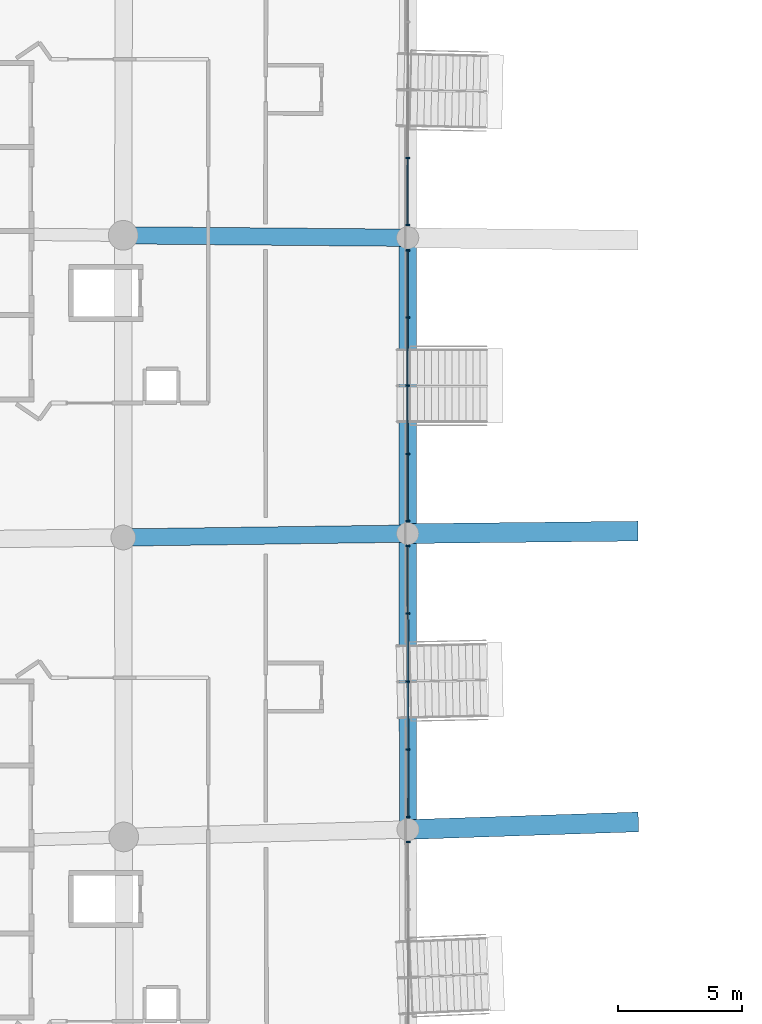
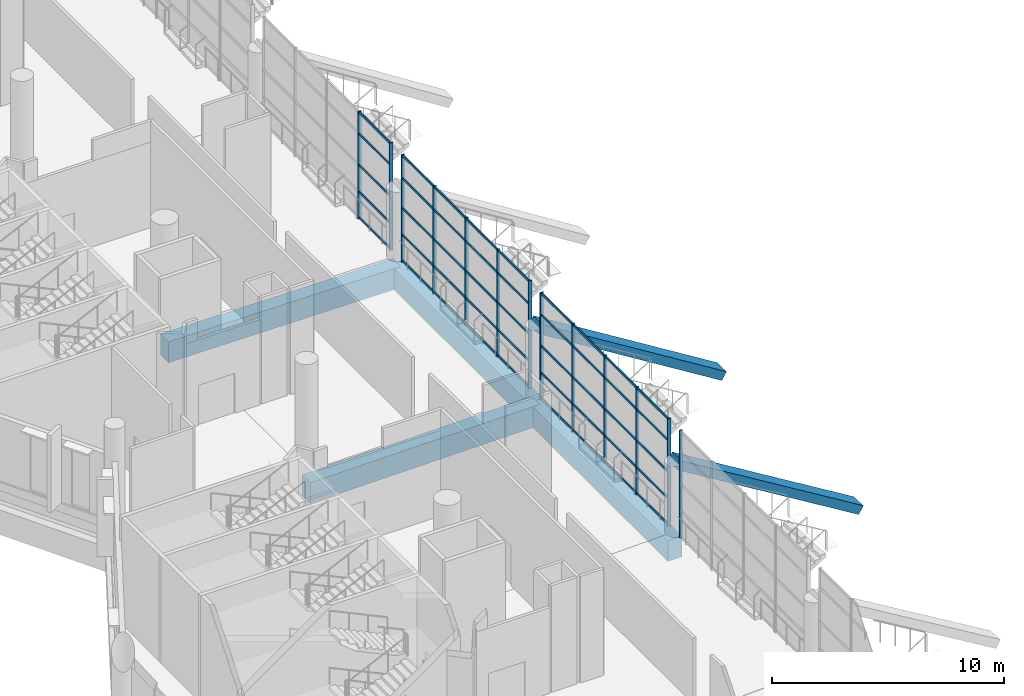
# One storey, part 10 of 173: 58 members, 6 beams, 4 elements without a shape of their own.
"""IFC4 building model written with IfcOpenShell, lengths in metres."""

from ifc_helpers import new_model, si_unit, direction, frame, origin, origin_2d, place, context, subcontext, project, spatial, rectangle, extrude, material, layer, layer_set, material_profile, profile_set, type_object, element, aggregate, save


model = new_model("IFC4")

# Units and contexts
model_context = context("Model", 3, precision=1e-05, world=origin(), true_north=direction((0.0, 1.0)))
body_context = subcontext(model_context, "Body", "Model", "MODEL_VIEW")
ifc_project = project(units=[si_unit("LENGTHUNIT", "METRE"), si_unit("AREAUNIT", "SQUARE_METRE"), si_unit("VOLUMEUNIT", "CUBIC_METRE"), si_unit("PLANEANGLEUNIT", "RADIAN"), si_unit("MASSUNIT", "GRAM", prefix="KILO")], contexts=[model_context])

# Site, building, storey
site_placement = place(None, origin())
site = spatial("IfcSite", under=ifc_project, at=site_placement, CompositionType="ELEMENT")
building_placement = place(site_placement, origin())
building = spatial("IfcBuilding", under=site, at=building_placement, Name="Meseta Stadium", CompositionType="ELEMENT")
storey_placement = place(building_placement, frame((0.0, 0.0, 18.0)))
storey = spatial("IfcBuildingStorey", under=building, at=storey_placement, Name="L03", CompositionType="ELEMENT", Elevation=18.0)

# Curtain wall, members
ifc_material_1 = material(Name="Aluminium", Category="aluminium")
ifc_layer = layer(ifc_material_1, 0.25)
ifc_layer_set = layer_set([ifc_layer], Name="Media Centre glazing curtain wall")
curtain_wall_type = type_object("IfcCurtainWallType", Name="Media Centre glazing curtain wall", PredefinedType="NOTDEFINED", material=ifc_layer_set)
curtain_wall_1_placement = place(storey_placement, origin())
curtain_wall_1 = element("IfcCurtainWall", 1, at=curtain_wall_1_placement, inside=storey, type_object=curtain_wall_type, Name="Media Centre glazing bay 31", PredefinedType="NOTDEFINED")
ifc_material_2 = material(Name="Aluminium", Category="aluminium")
ifc_material_profile_1 = material_profile(ifc_material_2, rectangle(XDim=0.159912109375, YDim=0.06005859375, at=origin_2d()), Name="CW 160x60")
ifc_profile_set_1 = profile_set([ifc_material_profile_1], Name="Aluminium")
member_type_1 = type_object("IfcMemberType", Name="CW mullion 60x160", PredefinedType="MULLION", material=ifc_profile_set_1)
member_1_placement = place(storey_placement, frame((-73.493896484375, 9.211181640625, 0.0), z_axis=(0.0, 0.0, 1.0), x_axis=(0.999999147931, -0.001305425729, 0.0)))
member_1 = element("IfcMember", 2, at=member_1_placement, type_object=member_type_1, Name="CWM mullion 4", PredefinedType="MULLION", context=body_context, shape_type="SweptSolid", body=[
    extrude(rectangle(XDim=0.159912109375, YDim=0.06005859375, at=origin_2d()), origin(), (0.0, 0.0, 1.0), 5.64990234375),
])
member_2_placement = place(storey_placement, frame((-73.497314453125, 6.490234375, 0.0), z_axis=(0.0, 0.0, 1.0), x_axis=(0.999999147931, -0.001305425729, 0.0)))
member_2 = element("IfcMember", 3, at=member_2_placement, type_object=member_type_1, Name="CWM mullion 5", PredefinedType="MULLION", context=body_context, shape_type="SweptSolid", body=[
    extrude(rectangle(XDim=0.159912109375, YDim=0.06005859375, at=origin_2d()), origin(), (0.0, 0.0, 1.0), 5.64990234375),
])

curtain_wall_2_placement = place(storey_placement, origin())
curtain_wall_2 = element("IfcCurtainWall", 4, at=curtain_wall_2_placement, inside=storey, type_object=curtain_wall_type, Name="Media Centre glazing bay 32", PredefinedType="NOTDEFINED")
member_3_placement = place(storey_placement, frame((-73.498046875, 5.472412109375, 0.0), z_axis=(0.0, 0.0, 1.0), x_axis=(1.0, 0.0, 0.0)))
member_3 = element("IfcMember", 5, at=member_3_placement, type_object=member_type_1, Name="CWM mullion 1", PredefinedType="MULLION", context=body_context, shape_type="SweptSolid", body=[
    extrude(rectangle(XDim=0.159912109375, YDim=0.06005859375, at=origin_2d()), origin(), (0.0, 0.0, 1.0), 5.64990234375),
])
member_4_placement = place(storey_placement, frame((-73.498046875, 2.751220703125, 0.0), z_axis=(0.0, 0.0, 1.0), x_axis=(1.0, 0.0, 0.0)))
member_4 = element("IfcMember", 6, at=member_4_placement, type_object=member_type_1, Name="CWM mullion 2", PredefinedType="MULLION", context=body_context, shape_type="SweptSolid", body=[
    extrude(rectangle(XDim=0.159912109375, YDim=0.06005859375, at=origin_2d()), origin(), (0.0, 0.0, 1.0), 5.64990234375),
])
member_5_placement = place(storey_placement, frame((-73.498046875, 0.0, 0.0), z_axis=(0.0, 0.0, 1.0), x_axis=(1.0, 0.0, 0.0)))
member_5 = element("IfcMember", 7, at=member_5_placement, type_object=member_type_1, Name="CWM mullion 3", PredefinedType="MULLION", context=body_context, shape_type="SweptSolid", body=[
    extrude(rectangle(XDim=0.159912109375, YDim=0.06005859375, at=origin_2d()), origin(), (0.0, 0.0, 1.0), 5.64990234375),
])
member_6_placement = place(storey_placement, frame((-73.498046875, -2.751220703125, 0.0), z_axis=(0.0, 0.0, 1.0), x_axis=(1.0, 0.0, 0.0)))
member_6 = element("IfcMember", 8, at=member_6_placement, type_object=member_type_1, Name="CWM mullion 4", PredefinedType="MULLION", context=body_context, shape_type="SweptSolid", body=[
    extrude(rectangle(XDim=0.159912109375, YDim=0.06005859375, at=origin_2d()), origin(), (0.0, 0.0, 1.0), 5.64990234375),
])
member_7_placement = place(storey_placement, frame((-73.498046875, -5.472412109375, 0.0), z_axis=(0.0, 0.0, 1.0), x_axis=(1.0, 0.0, 0.0)))
member_7 = element("IfcMember", 9, at=member_7_placement, type_object=member_type_1, Name="CWM mullion 5", PredefinedType="MULLION", context=body_context, shape_type="SweptSolid", body=[
    extrude(rectangle(XDim=0.159912109375, YDim=0.06005859375, at=origin_2d()), origin(), (0.0, 0.0, 1.0), 5.64990234375),
])

curtain_wall_3_placement = place(storey_placement, origin())
curtain_wall_3 = element("IfcCurtainWall", 10, at=curtain_wall_3_placement, inside=storey, type_object=curtain_wall_type, Name="Media Centre glazing bay 33", PredefinedType="NOTDEFINED")
member_8_placement = place(storey_placement, frame((-73.497314453125, -6.490234375, 0.0), z_axis=(0.0, 0.0, 1.0), x_axis=(0.999999147931, 0.001305425729, 0.0)))
member_8 = element("IfcMember", 11, at=member_8_placement, type_object=member_type_1, Name="CWM mullion 1", PredefinedType="MULLION", context=body_context, shape_type="SweptSolid", body=[
    extrude(rectangle(XDim=0.159912109375, YDim=0.06005859375, at=origin_2d()), origin(), (0.0, 0.0, 1.0), 5.64990234375),
])
member_9_placement = place(storey_placement, frame((-73.493896484375, -9.211181640625, 0.0), z_axis=(0.0, 0.0, 1.0), x_axis=(0.999999147931, 0.001305425729, 0.0)))
member_9 = element("IfcMember", 12, at=member_9_placement, type_object=member_type_1, Name="CWM mullion 2", PredefinedType="MULLION", context=body_context, shape_type="SweptSolid", body=[
    extrude(rectangle(XDim=0.159912109375, YDim=0.06005859375, at=origin_2d()), origin(), (0.0, 0.0, 1.0), 5.64990234375),
])
member_10_placement = place(storey_placement, frame((-73.490234375, -11.96240234375, 0.0), z_axis=(0.0, 0.0, 1.0), x_axis=(0.999999147931, 0.001305425729, 0.0)))
member_10 = element("IfcMember", 13, at=member_10_placement, type_object=member_type_1, Name="CWM mullion 3", PredefinedType="MULLION", context=body_context, shape_type="SweptSolid", body=[
    extrude(rectangle(XDim=0.159912109375, YDim=0.06005859375, at=origin_2d()), origin(), (0.0, 0.0, 1.0), 5.64990234375),
])
member_11_placement = place(storey_placement, frame((-73.486572265625, -14.71337890625, 0.0), z_axis=(0.0, 0.0, 1.0), x_axis=(0.999999147931, 0.001305425729, 0.0)))
member_11 = element("IfcMember", 14, at=member_11_placement, type_object=member_type_1, Name="CWM mullion 4", PredefinedType="MULLION", context=body_context, shape_type="SweptSolid", body=[
    extrude(rectangle(XDim=0.159912109375, YDim=0.06005859375, at=origin_2d()), origin(), (0.0, 0.0, 1.0), 5.64990234375),
])
member_12_placement = place(storey_placement, frame((-73.483154296875, -17.434326171875, 0.0), z_axis=(0.0, 0.0, 1.0), x_axis=(0.999999147931, 0.001305425729, 0.0)))
member_12 = element("IfcMember", 15, at=member_12_placement, type_object=member_type_1, Name="CWM mullion 5", PredefinedType="MULLION", context=body_context, shape_type="SweptSolid", body=[
    extrude(rectangle(XDim=0.159912109375, YDim=0.06005859375, at=origin_2d()), origin(), (0.0, 0.0, 1.0), 5.64990234375),
])

# Curtain wall, member
curtain_wall_4_placement = place(storey_placement, origin())
curtain_wall_4 = element("IfcCurtainWall", 16, at=curtain_wall_4_placement, inside=storey, type_object=curtain_wall_type, Name="Media Centre glazing bay 34", PredefinedType="NOTDEFINED")
member_13_placement = place(storey_placement, frame((-73.481201171875, -18.45263671875, 0.0), z_axis=(0.0, 0.0, 1.0), x_axis=(0.999996605564, 0.002605544184, 0.0)))
member_13 = element("IfcMember", 17, at=member_13_placement, type_object=member_type_1, Name="CWM mullion 1", PredefinedType="MULLION", context=body_context, shape_type="SweptSolid", body=[
    extrude(rectangle(XDim=0.159912109375, YDim=0.06005859375, at=origin_2d()), origin(), (0.0, 0.0, 1.0), 5.64990234375),
])
aggregate(curtain_wall_4, [member_13])

# Member
ifc_material_3 = material(Name="Aluminium", Category="aluminium")
ifc_material_profile_2 = material_profile(ifc_material_3, rectangle(XDim=0.06005859375, YDim=0.1201171875, at=origin_2d()), Name="CW 60x120")
ifc_profile_set_2 = profile_set([ifc_material_profile_2], Name="Aluminium")
member_type_2 = type_object("IfcMemberType", Name="CW transom 60x120", PredefinedType="USERDEFINED", material=ifc_profile_set_2)
member_14_placement = place(storey_placement, frame((-73.493896484375, 9.181396484375, 0.06005859375), z_axis=(-0.00128440261, -0.999999175155, 0.0), x_axis=(0.999999175155, -0.00128440261, 0.0)))
member_14 = element("IfcMember", 18, at=member_14_placement, type_object=member_type_2, Name="CWM transom 4.1", ObjectType="TRANSOM", PredefinedType="USERDEFINED", context=body_context, shape_type="SweptSolid", body=[
    extrude(rectangle(XDim=0.06005859375, YDim=0.1201171875, at=origin_2d()), origin(), (0.0, 0.0, 1.0), 2.6611328125),
])

member_15_placement = place(storey_placement, frame((-73.493896484375, 9.181396484375, 1.41259765625), z_axis=(-0.00128440261, -0.999999175155, 0.0), x_axis=(0.999999175155, -0.00128440261, 0.0)))
member_15 = element("IfcMember", 19, at=member_15_placement, type_object=member_type_2, Name="CWM transom 4.2", ObjectType="TRANSOM", PredefinedType="USERDEFINED", context=body_context, shape_type="SweptSolid", body=[
    extrude(rectangle(XDim=0.06005859375, YDim=0.1201171875, at=origin_2d()), origin(), (0.0, 0.0, 1.0), 2.6611328125),
])

member_16_placement = place(storey_placement, frame((-73.493896484375, 9.181396484375, 2.824951171875), z_axis=(-0.00128440261, -0.999999175155, 0.0), x_axis=(0.999999175155, -0.00128440261, 0.0)))
member_16 = element("IfcMember", 20, at=member_16_placement, type_object=member_type_2, Name="CWM transom 4.3", ObjectType="TRANSOM", PredefinedType="USERDEFINED", context=body_context, shape_type="SweptSolid", body=[
    extrude(rectangle(XDim=0.06005859375, YDim=0.1201171875, at=origin_2d()), origin(), (0.0, 0.0, 1.0), 2.6611328125),
])

member_17_placement = place(storey_placement, frame((-73.493896484375, 9.181396484375, 4.4677734375), z_axis=(-0.00128440261, -0.999999175155, 0.0), x_axis=(0.999999175155, -0.00128440261, 0.0)))
member_17 = element("IfcMember", 21, at=member_17_placement, type_object=member_type_2, Name="CWM transom 4.4", ObjectType="TRANSOM", PredefinedType="USERDEFINED", context=body_context, shape_type="SweptSolid", body=[
    extrude(rectangle(XDim=0.06005859375, YDim=0.1201171875, at=origin_2d()), origin(), (0.0, 0.0, 1.0), 2.6611328125),
])

member_18_placement = place(storey_placement, frame((-73.493896484375, 9.181396484375, 5.590087890625), z_axis=(-0.00128440261, -0.999999175155, 0.0), x_axis=(0.999999175155, -0.00128440261, 0.0)))
member_18 = element("IfcMember", 22, at=member_18_placement, type_object=member_type_2, Name="CWM transom 4.5", ObjectType="TRANSOM", PredefinedType="USERDEFINED", context=body_context, shape_type="SweptSolid", body=[
    extrude(rectangle(XDim=0.06005859375, YDim=0.1201171875, at=origin_2d()), origin(), (0.0, 0.0, 1.0), 2.6611328125),
])

aggregate(curtain_wall_1, [member_1, member_2, member_14, member_15, member_16, member_17, member_18])

member_19_placement = place(storey_placement, frame((-73.498046875, 5.4423828125, 0.06005859375), z_axis=(0.0, -1.0, 0.0), x_axis=(1.0, 0.0, 0.0)))
member_19 = element("IfcMember", 23, at=member_19_placement, type_object=member_type_2, Name="CWM transom 1.1", ObjectType="TRANSOM", PredefinedType="USERDEFINED", context=body_context, shape_type="SweptSolid", body=[
    extrude(rectangle(XDim=0.06005859375, YDim=0.1201171875, at=origin_2d()), origin(), (0.0, 0.0, 1.0), 2.6611328125),
])

member_20_placement = place(storey_placement, frame((-73.498046875, 5.4423828125, 1.41259765625), z_axis=(0.0, -1.0, 0.0), x_axis=(1.0, 0.0, 0.0)))
member_20 = element("IfcMember", 24, at=member_20_placement, type_object=member_type_2, Name="CWM transom 1.2", ObjectType="TRANSOM", PredefinedType="USERDEFINED", context=body_context, shape_type="SweptSolid", body=[
    extrude(rectangle(XDim=0.06005859375, YDim=0.1201171875, at=origin_2d()), origin(), (0.0, 0.0, 1.0), 2.6611328125),
])

member_21_placement = place(storey_placement, frame((-73.498046875, 5.4423828125, 2.824951171875), z_axis=(0.0, -1.0, 0.0), x_axis=(1.0, 0.0, 0.0)))
member_21 = element("IfcMember", 25, at=member_21_placement, type_object=member_type_2, Name="CWM transom 1.3", ObjectType="TRANSOM", PredefinedType="USERDEFINED", context=body_context, shape_type="SweptSolid", body=[
    extrude(rectangle(XDim=0.06005859375, YDim=0.1201171875, at=origin_2d()), origin(), (0.0, 0.0, 1.0), 2.6611328125),
])

member_22_placement = place(storey_placement, frame((-73.498046875, 5.4423828125, 4.396728515625), z_axis=(0.0, -1.0, 0.0), x_axis=(1.0, 0.0, 0.0)))
member_22 = element("IfcMember", 26, at=member_22_placement, type_object=member_type_2, Name="CWM transom 1.4", ObjectType="TRANSOM", PredefinedType="USERDEFINED", context=body_context, shape_type="SweptSolid", body=[
    extrude(rectangle(XDim=0.06005859375, YDim=0.1201171875, at=origin_2d()), origin(), (0.0, 0.0, 1.0), 2.6611328125),
])

member_23_placement = place(storey_placement, frame((-73.498046875, 5.4423828125, 5.590087890625), z_axis=(0.0, -1.0, 0.0), x_axis=(1.0, 0.0, 0.0)))
member_23 = element("IfcMember", 27, at=member_23_placement, type_object=member_type_2, Name="CWM transom 1.5", ObjectType="TRANSOM", PredefinedType="USERDEFINED", context=body_context, shape_type="SweptSolid", body=[
    extrude(rectangle(XDim=0.06005859375, YDim=0.1201171875, at=origin_2d()), origin(), (0.0, 0.0, 1.0), 2.6611328125),
])

member_24_placement = place(storey_placement, frame((-73.498046875, 2.72119140625, 0.06005859375), z_axis=(0.0, -1.0, 0.0), x_axis=(1.0, 0.0, 0.0)))
member_24 = element("IfcMember", 28, at=member_24_placement, type_object=member_type_2, Name="CWM transom 2.1", ObjectType="TRANSOM", PredefinedType="USERDEFINED", context=body_context, shape_type="SweptSolid", body=[
    extrude(rectangle(XDim=0.06005859375, YDim=0.1201171875, at=origin_2d()), origin(), (0.0, 0.0, 1.0), 2.691162109375),
])

member_25_placement = place(storey_placement, frame((-73.498046875, 2.72119140625, 1.41259765625), z_axis=(0.0, -1.0, 0.0), x_axis=(1.0, 0.0, 0.0)))
member_25 = element("IfcMember", 29, at=member_25_placement, type_object=member_type_2, Name="CWM transom 2.2", ObjectType="TRANSOM", PredefinedType="USERDEFINED", context=body_context, shape_type="SweptSolid", body=[
    extrude(rectangle(XDim=0.06005859375, YDim=0.1201171875, at=origin_2d()), origin(), (0.0, 0.0, 1.0), 2.691162109375),
])

member_26_placement = place(storey_placement, frame((-73.498046875, 2.72119140625, 2.824951171875), z_axis=(0.0, -1.0, 0.0), x_axis=(1.0, 0.0, 0.0)))
member_26 = element("IfcMember", 30, at=member_26_placement, type_object=member_type_2, Name="CWM transom 2.3", ObjectType="TRANSOM", PredefinedType="USERDEFINED", context=body_context, shape_type="SweptSolid", body=[
    extrude(rectangle(XDim=0.06005859375, YDim=0.1201171875, at=origin_2d()), origin(), (0.0, 0.0, 1.0), 2.691162109375),
])

member_27_placement = place(storey_placement, frame((-73.498046875, 2.72119140625, 4.396728515625), z_axis=(0.0, -1.0, 0.0), x_axis=(1.0, 0.0, 0.0)))
member_27 = element("IfcMember", 31, at=member_27_placement, type_object=member_type_2, Name="CWM transom 2.4", ObjectType="TRANSOM", PredefinedType="USERDEFINED", context=body_context, shape_type="SweptSolid", body=[
    extrude(rectangle(XDim=0.06005859375, YDim=0.1201171875, at=origin_2d()), origin(), (0.0, 0.0, 1.0), 2.691162109375),
])

member_28_placement = place(storey_placement, frame((-73.498046875, 2.72119140625, 5.590087890625), z_axis=(0.0, -1.0, 0.0), x_axis=(1.0, 0.0, 0.0)))
member_28 = element("IfcMember", 32, at=member_28_placement, type_object=member_type_2, Name="CWM transom 2.5", ObjectType="TRANSOM", PredefinedType="USERDEFINED", context=body_context, shape_type="SweptSolid", body=[
    extrude(rectangle(XDim=0.06005859375, YDim=0.1201171875, at=origin_2d()), origin(), (0.0, 0.0, 1.0), 2.691162109375),
])

member_29_placement = place(storey_placement, frame((-73.498046875, -0.030029296875, 0.06005859375), z_axis=(0.0, -1.0, 0.0), x_axis=(1.0, 0.0, 0.0)))
member_29 = element("IfcMember", 33, at=member_29_placement, type_object=member_type_2, Name="CWM transom 3.1", ObjectType="TRANSOM", PredefinedType="USERDEFINED", context=body_context, shape_type="SweptSolid", body=[
    extrude(rectangle(XDim=0.06005859375, YDim=0.1201171875, at=origin_2d()), origin(), (0.0, 0.0, 1.0), 2.691162109375),
])

member_30_placement = place(storey_placement, frame((-73.498046875, -0.030029296875, 1.41259765625), z_axis=(0.0, -1.0, 0.0), x_axis=(1.0, 0.0, 0.0)))
member_30 = element("IfcMember", 34, at=member_30_placement, type_object=member_type_2, Name="CWM transom 3.2", ObjectType="TRANSOM", PredefinedType="USERDEFINED", context=body_context, shape_type="SweptSolid", body=[
    extrude(rectangle(XDim=0.06005859375, YDim=0.1201171875, at=origin_2d()), origin(), (0.0, 0.0, 1.0), 2.691162109375),
])

member_31_placement = place(storey_placement, frame((-73.498046875, -0.030029296875, 2.824951171875), z_axis=(0.0, -1.0, 0.0), x_axis=(1.0, 0.0, 0.0)))
member_31 = element("IfcMember", 35, at=member_31_placement, type_object=member_type_2, Name="CWM transom 3.3", ObjectType="TRANSOM", PredefinedType="USERDEFINED", context=body_context, shape_type="SweptSolid", body=[
    extrude(rectangle(XDim=0.06005859375, YDim=0.1201171875, at=origin_2d()), origin(), (0.0, 0.0, 1.0), 2.691162109375),
])

member_32_placement = place(storey_placement, frame((-73.498046875, -0.030029296875, 4.396728515625), z_axis=(0.0, -1.0, 0.0), x_axis=(1.0, 0.0, 0.0)))
member_32 = element("IfcMember", 36, at=member_32_placement, type_object=member_type_2, Name="CWM transom 3.4", ObjectType="TRANSOM", PredefinedType="USERDEFINED", context=body_context, shape_type="SweptSolid", body=[
    extrude(rectangle(XDim=0.06005859375, YDim=0.1201171875, at=origin_2d()), origin(), (0.0, 0.0, 1.0), 2.691162109375),
])

member_33_placement = place(storey_placement, frame((-73.498046875, -0.030029296875, 5.590087890625), z_axis=(0.0, -1.0, 0.0), x_axis=(1.0, 0.0, 0.0)))
member_33 = element("IfcMember", 37, at=member_33_placement, type_object=member_type_2, Name="CWM transom 3.5", ObjectType="TRANSOM", PredefinedType="USERDEFINED", context=body_context, shape_type="SweptSolid", body=[
    extrude(rectangle(XDim=0.06005859375, YDim=0.1201171875, at=origin_2d()), origin(), (0.0, 0.0, 1.0), 2.691162109375),
])

member_34_placement = place(storey_placement, frame((-73.498046875, -2.78125, 0.06005859375), z_axis=(0.0, -1.0, 0.0), x_axis=(1.0, 0.0, 0.0)))
member_34 = element("IfcMember", 38, at=member_34_placement, type_object=member_type_2, Name="CWM transom 4.1", ObjectType="TRANSOM", PredefinedType="USERDEFINED", context=body_context, shape_type="SweptSolid", body=[
    extrude(rectangle(XDim=0.06005859375, YDim=0.1201171875, at=origin_2d()), origin(), (0.0, 0.0, 1.0), 2.6611328125),
])

member_35_placement = place(storey_placement, frame((-73.498046875, -2.78125, 1.41259765625), z_axis=(0.0, -1.0, 0.0), x_axis=(1.0, 0.0, 0.0)))
member_35 = element("IfcMember", 39, at=member_35_placement, type_object=member_type_2, Name="CWM transom 4.2", ObjectType="TRANSOM", PredefinedType="USERDEFINED", context=body_context, shape_type="SweptSolid", body=[
    extrude(rectangle(XDim=0.06005859375, YDim=0.1201171875, at=origin_2d()), origin(), (0.0, 0.0, 1.0), 2.6611328125),
])

member_36_placement = place(storey_placement, frame((-73.498046875, -2.78125, 2.824951171875), z_axis=(0.0, -1.0, 0.0), x_axis=(1.0, 0.0, 0.0)))
member_36 = element("IfcMember", 40, at=member_36_placement, type_object=member_type_2, Name="CWM transom 4.3", ObjectType="TRANSOM", PredefinedType="USERDEFINED", context=body_context, shape_type="SweptSolid", body=[
    extrude(rectangle(XDim=0.06005859375, YDim=0.1201171875, at=origin_2d()), origin(), (0.0, 0.0, 1.0), 2.6611328125),
])

member_37_placement = place(storey_placement, frame((-73.498046875, -2.78125, 4.396728515625), z_axis=(0.0, -1.0, 0.0), x_axis=(1.0, 0.0, 0.0)))
member_37 = element("IfcMember", 41, at=member_37_placement, type_object=member_type_2, Name="CWM transom 4.4", ObjectType="TRANSOM", PredefinedType="USERDEFINED", context=body_context, shape_type="SweptSolid", body=[
    extrude(rectangle(XDim=0.06005859375, YDim=0.1201171875, at=origin_2d()), origin(), (0.0, 0.0, 1.0), 2.6611328125),
])

member_38_placement = place(storey_placement, frame((-73.498046875, -2.78125, 5.590087890625), z_axis=(0.0, -1.0, 0.0), x_axis=(1.0, 0.0, 0.0)))
member_38 = element("IfcMember", 42, at=member_38_placement, type_object=member_type_2, Name="CWM transom 4.5", ObjectType="TRANSOM", PredefinedType="USERDEFINED", context=body_context, shape_type="SweptSolid", body=[
    extrude(rectangle(XDim=0.06005859375, YDim=0.1201171875, at=origin_2d()), origin(), (0.0, 0.0, 1.0), 2.6611328125),
])

aggregate(curtain_wall_2, [member_3, member_4, member_5, member_6, member_7, member_19, member_20, member_21, member_22, member_23, member_24, member_25, member_26, member_27, member_28, member_29, member_30, member_31, member_32, member_33, member_34, member_35, member_36, member_37, member_38])

member_39_placement = place(storey_placement, frame((-73.497314453125, -6.520263671875, 0.06005859375), z_axis=(0.00128440261, -0.999999175155, 0.0), x_axis=(0.999999175155, 0.00128440261, 0.0)))
member_39 = element("IfcMember", 43, at=member_39_placement, type_object=member_type_2, Name="CWM transom 1.1", ObjectType="TRANSOM", PredefinedType="USERDEFINED", context=body_context, shape_type="SweptSolid", body=[
    extrude(rectangle(XDim=0.06005859375, YDim=0.1201171875, at=origin_2d()), origin(), (0.0, 0.0, 1.0), 2.6611328125),
])

member_40_placement = place(storey_placement, frame((-73.497314453125, -6.520263671875, 1.41259765625), z_axis=(0.00128440261, -0.999999175155, 0.0), x_axis=(0.999999175155, 0.00128440261, 0.0)))
member_40 = element("IfcMember", 44, at=member_40_placement, type_object=member_type_2, Name="CWM transom 1.2", ObjectType="TRANSOM", PredefinedType="USERDEFINED", context=body_context, shape_type="SweptSolid", body=[
    extrude(rectangle(XDim=0.06005859375, YDim=0.1201171875, at=origin_2d()), origin(), (0.0, 0.0, 1.0), 2.6611328125),
])

member_41_placement = place(storey_placement, frame((-73.497314453125, -6.520263671875, 2.824951171875), z_axis=(0.00128440261, -0.999999175155, 0.0), x_axis=(0.999999175155, 0.00128440261, 0.0)))
member_41 = element("IfcMember", 45, at=member_41_placement, type_object=member_type_2, Name="CWM transom 1.3", ObjectType="TRANSOM", PredefinedType="USERDEFINED", context=body_context, shape_type="SweptSolid", body=[
    extrude(rectangle(XDim=0.06005859375, YDim=0.1201171875, at=origin_2d()), origin(), (0.0, 0.0, 1.0), 2.6611328125),
])

member_42_placement = place(storey_placement, frame((-73.497314453125, -6.520263671875, 4.4677734375), z_axis=(0.00128440261, -0.999999175155, 0.0), x_axis=(0.999999175155, 0.00128440261, 0.0)))
member_42 = element("IfcMember", 46, at=member_42_placement, type_object=member_type_2, Name="CWM transom 1.4", ObjectType="TRANSOM", PredefinedType="USERDEFINED", context=body_context, shape_type="SweptSolid", body=[
    extrude(rectangle(XDim=0.06005859375, YDim=0.1201171875, at=origin_2d()), origin(), (0.0, 0.0, 1.0), 2.6611328125),
])

member_43_placement = place(storey_placement, frame((-73.497314453125, -6.520263671875, 5.590087890625), z_axis=(0.00128440261, -0.999999175155, 0.0), x_axis=(0.999999175155, 0.00128440261, 0.0)))
member_43 = element("IfcMember", 47, at=member_43_placement, type_object=member_type_2, Name="CWM transom 1.5", ObjectType="TRANSOM", PredefinedType="USERDEFINED", context=body_context, shape_type="SweptSolid", body=[
    extrude(rectangle(XDim=0.06005859375, YDim=0.1201171875, at=origin_2d()), origin(), (0.0, 0.0, 1.0), 2.6611328125),
])

member_44_placement = place(storey_placement, frame((-73.493896484375, -9.2412109375, 0.06005859375), z_axis=(0.001360789813, -0.999999074125, 0.0), x_axis=(0.999999074125, 0.001360789813, 0.0)))
member_44 = element("IfcMember", 48, at=member_44_placement, type_object=member_type_2, Name="CWM transom 2.1", ObjectType="TRANSOM", PredefinedType="USERDEFINED", context=body_context, shape_type="SweptSolid", body=[
    extrude(rectangle(XDim=0.06005859375, YDim=0.1201171875, at=origin_2d()), origin(), (0.0, 0.0, 1.0), 2.691162109375),
])

member_45_placement = place(storey_placement, frame((-73.493896484375, -9.2412109375, 1.41259765625), z_axis=(0.001360789813, -0.999999074125, 0.0), x_axis=(0.999999074125, 0.001360789813, 0.0)))
member_45 = element("IfcMember", 49, at=member_45_placement, type_object=member_type_2, Name="CWM transom 2.2", ObjectType="TRANSOM", PredefinedType="USERDEFINED", context=body_context, shape_type="SweptSolid", body=[
    extrude(rectangle(XDim=0.06005859375, YDim=0.1201171875, at=origin_2d()), origin(), (0.0, 0.0, 1.0), 2.691162109375),
])

member_46_placement = place(storey_placement, frame((-73.493896484375, -9.2412109375, 2.824951171875), z_axis=(0.001360789813, -0.999999074125, 0.0), x_axis=(0.999999074125, 0.001360789813, 0.0)))
member_46 = element("IfcMember", 50, at=member_46_placement, type_object=member_type_2, Name="CWM transom 2.3", ObjectType="TRANSOM", PredefinedType="USERDEFINED", context=body_context, shape_type="SweptSolid", body=[
    extrude(rectangle(XDim=0.06005859375, YDim=0.1201171875, at=origin_2d()), origin(), (0.0, 0.0, 1.0), 2.691162109375),
])

member_47_placement = place(storey_placement, frame((-73.493896484375, -9.2412109375, 4.4677734375), z_axis=(0.001360789813, -0.999999074125, 0.0), x_axis=(0.999999074125, 0.001360789813, 0.0)))
member_47 = element("IfcMember", 51, at=member_47_placement, type_object=member_type_2, Name="CWM transom 2.4", ObjectType="TRANSOM", PredefinedType="USERDEFINED", context=body_context, shape_type="SweptSolid", body=[
    extrude(rectangle(XDim=0.06005859375, YDim=0.1201171875, at=origin_2d()), origin(), (0.0, 0.0, 1.0), 2.691162109375),
])

member_48_placement = place(storey_placement, frame((-73.493896484375, -9.2412109375, 5.590087890625), z_axis=(0.001360789813, -0.999999074125, 0.0), x_axis=(0.999999074125, 0.001360789813, 0.0)))
member_48 = element("IfcMember", 52, at=member_48_placement, type_object=member_type_2, Name="CWM transom 2.5", ObjectType="TRANSOM", PredefinedType="USERDEFINED", context=body_context, shape_type="SweptSolid", body=[
    extrude(rectangle(XDim=0.06005859375, YDim=0.1201171875, at=origin_2d()), origin(), (0.0, 0.0, 1.0), 2.691162109375),
])

member_49_placement = place(storey_placement, frame((-73.490234375, -11.9921875, 0.06005859375), z_axis=(0.001360789813, -0.999999074125, 0.0), x_axis=(0.999999074125, 0.001360789813, 0.0)))
member_49 = element("IfcMember", 53, at=member_49_placement, type_object=member_type_2, Name="CWM transom 3.1", ObjectType="TRANSOM", PredefinedType="USERDEFINED", context=body_context, shape_type="SweptSolid", body=[
    extrude(rectangle(XDim=0.06005859375, YDim=0.1201171875, at=origin_2d()), origin(), (0.0, 0.0, 1.0), 2.691162109375),
])

member_50_placement = place(storey_placement, frame((-73.490234375, -11.9921875, 1.41259765625), z_axis=(0.001360789813, -0.999999074125, 0.0), x_axis=(0.999999074125, 0.001360789813, 0.0)))
member_50 = element("IfcMember", 54, at=member_50_placement, type_object=member_type_2, Name="CWM transom 3.2", ObjectType="TRANSOM", PredefinedType="USERDEFINED", context=body_context, shape_type="SweptSolid", body=[
    extrude(rectangle(XDim=0.06005859375, YDim=0.1201171875, at=origin_2d()), origin(), (0.0, 0.0, 1.0), 2.691162109375),
])

member_51_placement = place(storey_placement, frame((-73.490234375, -11.9921875, 2.824951171875), z_axis=(0.001360789813, -0.999999074125, 0.0), x_axis=(0.999999074125, 0.001360789813, 0.0)))
member_51 = element("IfcMember", 55, at=member_51_placement, type_object=member_type_2, Name="CWM transom 3.3", ObjectType="TRANSOM", PredefinedType="USERDEFINED", context=body_context, shape_type="SweptSolid", body=[
    extrude(rectangle(XDim=0.06005859375, YDim=0.1201171875, at=origin_2d()), origin(), (0.0, 0.0, 1.0), 2.691162109375),
])

member_52_placement = place(storey_placement, frame((-73.490234375, -11.9921875, 4.4677734375), z_axis=(0.001360789813, -0.999999074125, 0.0), x_axis=(0.999999074125, 0.001360789813, 0.0)))
member_52 = element("IfcMember", 56, at=member_52_placement, type_object=member_type_2, Name="CWM transom 3.4", ObjectType="TRANSOM", PredefinedType="USERDEFINED", context=body_context, shape_type="SweptSolid", body=[
    extrude(rectangle(XDim=0.06005859375, YDim=0.1201171875, at=origin_2d()), origin(), (0.0, 0.0, 1.0), 2.691162109375),
])

member_53_placement = place(storey_placement, frame((-73.490234375, -11.9921875, 5.590087890625), z_axis=(0.001360789813, -0.999999074125, 0.0), x_axis=(0.999999074125, 0.001360789813, 0.0)))
member_53 = element("IfcMember", 57, at=member_53_placement, type_object=member_type_2, Name="CWM transom 3.5", ObjectType="TRANSOM", PredefinedType="USERDEFINED", context=body_context, shape_type="SweptSolid", body=[
    extrude(rectangle(XDim=0.06005859375, YDim=0.1201171875, at=origin_2d()), origin(), (0.0, 0.0, 1.0), 2.691162109375),
])

member_54_placement = place(storey_placement, frame((-73.486572265625, -14.743408203125, 0.06005859375), z_axis=(0.001284520456, -0.999999175003, 0.0), x_axis=(0.999999175003, 0.001284520456, 0.0)))
member_54 = element("IfcMember", 58, at=member_54_placement, type_object=member_type_2, Name="CWM transom 4.1", ObjectType="TRANSOM", PredefinedType="USERDEFINED", context=body_context, shape_type="SweptSolid", body=[
    extrude(rectangle(XDim=0.06005859375, YDim=0.1201171875, at=origin_2d()), origin(), (0.0, 0.0, 1.0), 2.660888671875),
])

member_55_placement = place(storey_placement, frame((-73.486572265625, -14.743408203125, 1.41259765625), z_axis=(0.001284520456, -0.999999175003, 0.0), x_axis=(0.999999175003, 0.001284520456, 0.0)))
member_55 = element("IfcMember", 59, at=member_55_placement, type_object=member_type_2, Name="CWM transom 4.2", ObjectType="TRANSOM", PredefinedType="USERDEFINED", context=body_context, shape_type="SweptSolid", body=[
    extrude(rectangle(XDim=0.06005859375, YDim=0.1201171875, at=origin_2d()), origin(), (0.0, 0.0, 1.0), 2.660888671875),
])

member_56_placement = place(storey_placement, frame((-73.486572265625, -14.743408203125, 2.824951171875), z_axis=(0.001284520456, -0.999999175003, 0.0), x_axis=(0.999999175003, 0.001284520456, 0.0)))
member_56 = element("IfcMember", 60, at=member_56_placement, type_object=member_type_2, Name="CWM transom 4.3", ObjectType="TRANSOM", PredefinedType="USERDEFINED", context=body_context, shape_type="SweptSolid", body=[
    extrude(rectangle(XDim=0.06005859375, YDim=0.1201171875, at=origin_2d()), origin(), (0.0, 0.0, 1.0), 2.660888671875),
])

member_57_placement = place(storey_placement, frame((-73.486572265625, -14.743408203125, 4.4677734375), z_axis=(0.001284520456, -0.999999175003, 0.0), x_axis=(0.999999175003, 0.001284520456, 0.0)))
member_57 = element("IfcMember", 61, at=member_57_placement, type_object=member_type_2, Name="CWM transom 4.4", ObjectType="TRANSOM", PredefinedType="USERDEFINED", context=body_context, shape_type="SweptSolid", body=[
    extrude(rectangle(XDim=0.06005859375, YDim=0.1201171875, at=origin_2d()), origin(), (0.0, 0.0, 1.0), 2.660888671875),
])

member_58_placement = place(storey_placement, frame((-73.486572265625, -14.743408203125, 5.590087890625), z_axis=(0.001284520456, -0.999999175003, 0.0), x_axis=(0.999999175003, 0.001284520456, 0.0)))
member_58 = element("IfcMember", 62, at=member_58_placement, type_object=member_type_2, Name="CWM transom 4.5", ObjectType="TRANSOM", PredefinedType="USERDEFINED", context=body_context, shape_type="SweptSolid", body=[
    extrude(rectangle(XDim=0.06005859375, YDim=0.1201171875, at=origin_2d()), origin(), (0.0, 0.0, 1.0), 2.660888671875),
])

aggregate(curtain_wall_3, [member_8, member_9, member_10, member_11, member_12, member_39, member_40, member_41, member_42, member_43, member_44, member_45, member_46, member_47, member_48, member_49, member_50, member_51, member_52, member_53, member_54, member_55, member_56, member_57, member_58])

# Beams
ifc_material_4 = material(Name="Concrete C40/50", Category="concrete")
ifc_material_profile_3 = material_profile(ifc_material_4, rectangle(XDim=0.699951171875, YDim=1.10009765625, at=origin_2d()), Name="RC 700x1100")
ifc_profile_set_3 = profile_set([ifc_material_profile_3], Name="Concrete C40/50")
beam_type_1 = type_object("IfcBeamType", Name="RC beam 700x1100", PredefinedType="BEAM", material=ifc_profile_set_3)
for number, where, z_axis, x_axis, name in (
    (63, (-73.498046875, 5.981201171875, -0.89990234375), (0.0, -1.0, 0.0), (1.0, 0.0, 0.0), "L03 ring beam frame 32 line E"),
    (64, (-73.498046875, -5.981201171875, -0.89990234375), (0.001306174648, -0.999999146954, 0.0), (0.999999146954, 0.001306174648, 0.0), "L03 ring beam frame 33 line E"),
):
    element("IfcBeam", number, at=place(storey_placement, frame(where, z_axis=z_axis, x_axis=x_axis)), inside=storey, type_object=beam_type_1, Name=name, PredefinedType="BEAM", context=body_context, shape_type="SweptSolid", body=[
        extrude(rectangle(XDim=0.699951171875, YDim=1.10009765625, at=origin_2d()), origin(), (0.0, 0.0, 1.0), 11.96240234375),
    ])
for number, where, z_axis, x_axis, name in (
    (65, (-73.498046875, 5.981201171875, -0.89990234375), (-0.999962117874, 0.008704183863, 0.0), (-0.008704183863, -0.999962117874, 0.0), "L03 radial beam frame 32 line E to P"),
    (66, (-73.498046875, -5.981201171875, -0.89990234375), (-0.9999079826, -0.013565630592, 0.0), (0.013565630592, -0.9999079826, 0.0), "L03 radial beam frame 33 line E to P"),
):
    element("IfcBeam", number, at=place(storey_placement, frame(where, z_axis=z_axis, x_axis=x_axis)), inside=storey, type_object=beam_type_1, Name=name, PredefinedType="BEAM", context=body_context, shape_type="SweptSolid", body=[
        extrude(rectangle(XDim=0.699951171875, YDim=1.10009765625, at=origin_2d()), origin(), (0.0, 0.0, 1.0), 11.5),
    ])
ifc_material_5 = material(Name="Concrete C40/50", Category="concrete")
ifc_material_profile_4 = material_profile(ifc_material_5, rectangle(XDim=0.800048828125, YDim=0.449951171875, at=origin_2d()), Name="RC 800x450")
ifc_profile_set_4 = profile_set([ifc_material_profile_4], Name="Concrete C40/50")
beam_type_2 = type_object("IfcBeamType", Name="RC raker upper rear 800x450", PredefinedType="USERDEFINED", material=ifc_profile_set_4)
for number, where, z_axis, x_axis, name in (
    (67, (-64.298583984375, -5.880615234375, -2.115966796875), (-0.847958063329, -0.009271482235, 0.52998222843), (0.010933238898, -0.999940230357, 0.0), "Raker upper rear frame 33 upper tier"),
    (68, (-64.287353515625, -17.64111328125, -2.038818359375), (-0.84756113567, -0.027882225184, 0.529964812814), (0.032879221322, -0.999459332242, 0.0), "Raker upper rear frame 34 upper tier"),
):
    element("IfcBeam", number, at=place(storey_placement, frame(where, z_axis=z_axis, x_axis=x_axis)), inside=storey, type_object=beam_type_2, Name=name, ObjectType="RAKER", PredefinedType="USERDEFINED", context=body_context, shape_type="SweptSolid", body=[
        extrude(rectangle(XDim=0.800048828125, YDim=0.449951171875, at=origin_2d()), origin(), (0.0, 0.0, 1.0), 10.848876953125),
    ])

save(model, "model.ifc")
